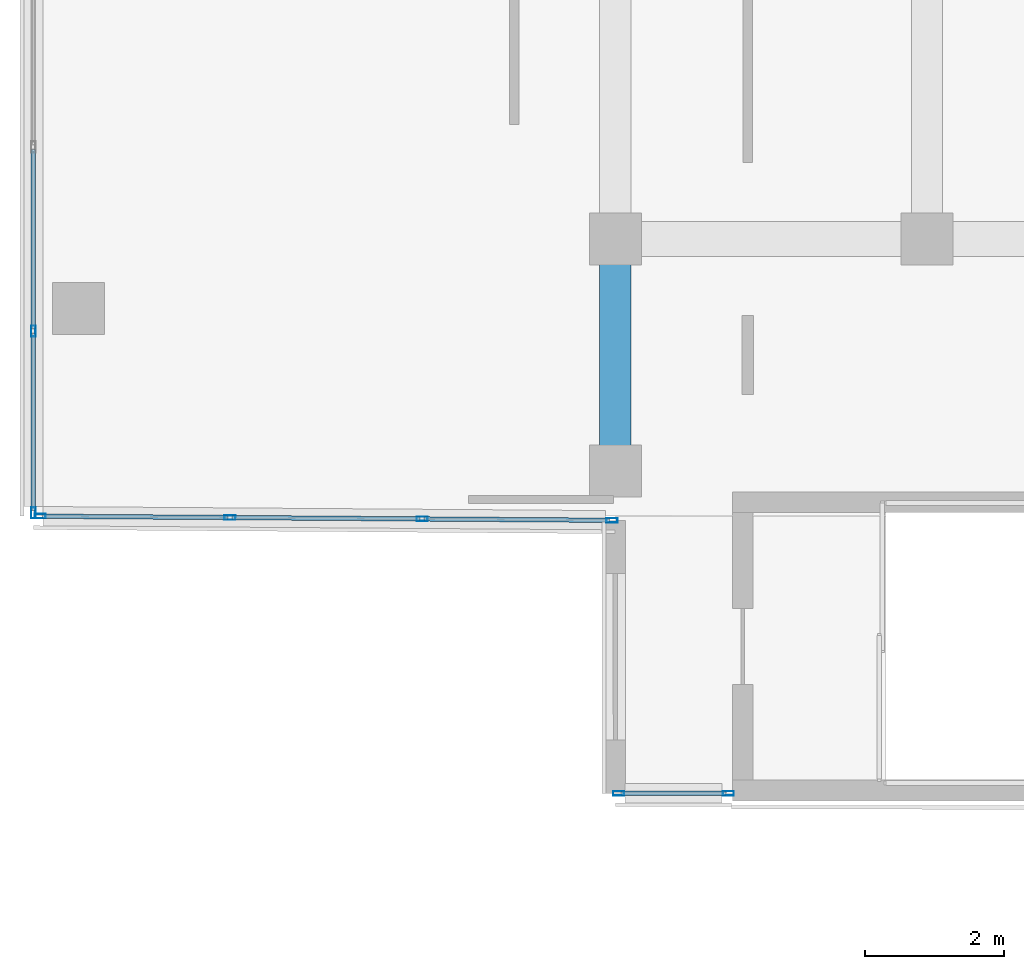
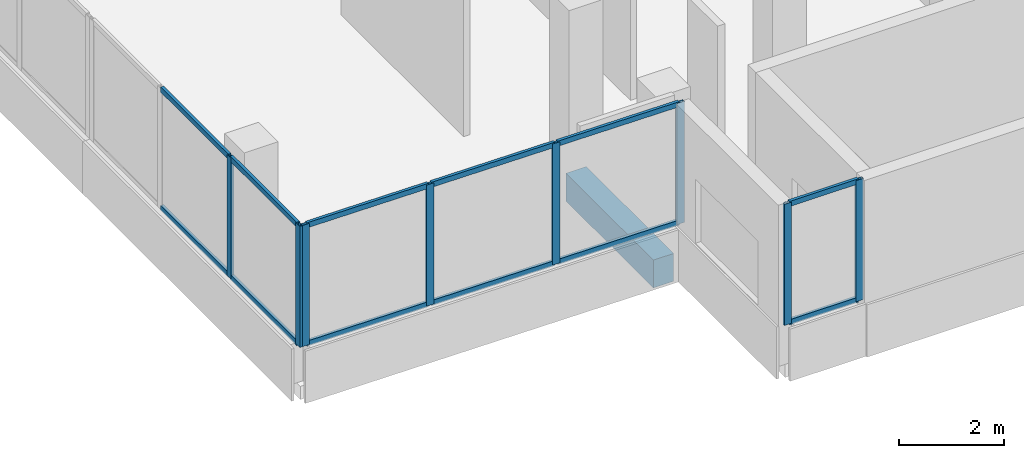
# One storey, part 21 of 101: 20 members, 1 beam, 3 elements without a shape of their own.
"""IFC4 building model written with IfcOpenShell, lengths in metres."""

from ifc_helpers import new_model, si_unit, direction, frame, origin, origin_2d, place, context, subcontext, project, spatial, rectangle, hollow_rectangle, extrude, material, material_profile, profile_set, type_object, element, aggregate, save


model = new_model("IFC4")

# Units and contexts
model_context = context("Model", 3, precision=1e-05, world=origin(), true_north=direction((0.0, 1.0)))
body_context = subcontext(model_context, "Body", "Model", "MODEL_VIEW")
ifc_project = project(units=[si_unit("LENGTHUNIT", "METRE"), si_unit("AREAUNIT", "SQUARE_METRE"), si_unit("VOLUMEUNIT", "CUBIC_METRE"), si_unit("PLANEANGLEUNIT", "RADIAN"), si_unit("MASSUNIT", "GRAM", prefix="KILO")], contexts=[model_context])

# Site, building, storey
site_placement = place(None, origin())
site = spatial("IfcSite", under=ifc_project, at=site_placement, CompositionType="ELEMENT")
building_placement = place(site_placement, origin())
building = spatial("IfcBuilding", under=site, at=building_placement, Name="Selatvlak General Hospital", CompositionType="ELEMENT")
storey_placement = place(building_placement, frame((0.0, 0.0, 19.199951171875)))
storey = spatial("IfcBuildingStorey", under=building, at=storey_placement, Name="L04", CompositionType="ELEMENT", Elevation=19.199951171875)

# Beam
ifc_material_1 = material(Name="Concrete C40/50", Category="concrete")
ifc_material_profile_1 = material_profile(ifc_material_1, rectangle(XDim=0.449951171875, YDim=0.64990234375, at=origin_2d()), Name="RC-BM 450x650")
ifc_profile_set_1 = profile_set([ifc_material_profile_1], Name="Concrete C40/50")
beam_type = type_object("IfcBeamType", Name="BM-G04", PredefinedType="BEAM", material=ifc_profile_set_1)
beam_placement = place(storey_placement, frame((22.800048828125, 88.64990234375, -0.6298828125), z_axis=(0.0, 1.0, 0.0), x_axis=(-1.0, 0.0, 0.0)))
element("IfcBeam", 1, at=beam_placement, inside=storey, type_object=beam_type, Name="Beam BMR-L04-1643", PredefinedType="BEAM", context=body_context, shape_type="SweptSolid", body=[
    extrude(rectangle(XDim=0.449951171875, YDim=0.64990234375, at=origin_2d()), origin(), (0.0, 0.0, 1.0), 3.35009765625),
])

# Curtain wall, members
ifc_material_2 = material(Name="Solar-control Low-E double glazing", Category="glass")
curtain_wall_type = type_object("IfcCurtainWallType", Name="CW-CW-02", PredefinedType="USERDEFINED", material=ifc_material_2)
curtain_wall_1_placement = place(storey_placement, origin())
curtain_wall_1 = element("IfcCurtainWall", 2, at=curtain_wall_1_placement, inside=storey, type_object=curtain_wall_type, Name="Glazed facade curtain wall CW-L04-0476", ObjectType="UNITISED CURTAIN WALL", PredefinedType="USERDEFINED")
ifc_material_3 = material(Name="Dark anodised aluminium mullion", Category="aluminium")
ifc_material_profile_2 = material_profile(ifc_material_3, hollow_rectangle(XDim=0.06494140625, YDim=0.159912109375, WallThickness=0.00390625, at=origin_2d()), Name="AL-MUL 65x160x4")
ifc_profile_set_2 = profile_set([ifc_material_profile_2], Name="Dark anodised aluminium mullion")
member_type_1 = type_object("IfcMemberType", Name="CWM-01", PredefinedType="MULLION", material=ifc_profile_set_2)
member_1_placement = place(storey_placement, frame((14.39990234375, 88.047607421875, 0.93994140625), z_axis=(0.0, 0.0, 1.0), x_axis=(-1.0, 0.0, 0.0)))
member_1 = element("IfcMember", 3, at=member_1_placement, type_object=member_type_1, Name="CW-02 mullion 1", PredefinedType="MULLION", context=body_context, shape_type="SweptSolid", body=[
    extrude(hollow_rectangle(XDim=0.06494140625, YDim=0.159912109375, WallThickness=0.00390625, at=origin_2d()), origin(), (0.0, 0.0, 1.0), 2.830078125),
])
member_2_placement = place(storey_placement, frame((14.39990234375, 90.671630859375, 0.93994140625), z_axis=(0.0, 0.0, 1.0), x_axis=(-1.0, 0.0, 0.0)))
member_2 = element("IfcMember", 4, at=member_2_placement, type_object=member_type_1, Name="CW-02 mullion 2", PredefinedType="MULLION", context=body_context, shape_type="SweptSolid", body=[
    extrude(hollow_rectangle(XDim=0.06494140625, YDim=0.159912109375, WallThickness=0.00390625, at=origin_2d()), origin(), (0.0, 0.0, 1.0), 2.830078125),
])

curtain_wall_2_placement = place(storey_placement, origin())
curtain_wall_2 = element("IfcCurtainWall", 5, at=curtain_wall_2_placement, inside=storey, type_object=curtain_wall_type, Name="Glazed facade curtain wall CW-L04-0517", ObjectType="UNITISED CURTAIN WALL", PredefinedType="USERDEFINED")
member_3_placement = place(storey_placement, frame((24.4326171875, 83.9990234375, 0.93994140625), z_axis=(0.0, 0.0, 1.0), x_axis=(-0.000606428033, -0.999999816123, 0.0)))
member_3 = element("IfcMember", 6, at=member_3_placement, type_object=member_type_1, Name="CW-02 mullion 1", PredefinedType="MULLION", context=body_context, shape_type="SweptSolid", body=[
    extrude(hollow_rectangle(XDim=0.06494140625, YDim=0.159912109375, WallThickness=0.00390625, at=origin_2d()), origin(), (0.0, 0.0, 1.0), 2.830078125),
])
member_4_placement = place(storey_placement, frame((22.848388671875, 84.0, 0.93994140625), z_axis=(0.0, 0.0, 1.0), x_axis=(-0.000606428033, -0.999999816123, 0.0)))
member_4 = element("IfcMember", 7, at=member_4_placement, type_object=member_type_1, Name="CW-02 mullion 2", PredefinedType="MULLION", context=body_context, shape_type="SweptSolid", body=[
    extrude(hollow_rectangle(XDim=0.06494140625, YDim=0.159912109375, WallThickness=0.00390625, at=origin_2d()), origin(), (0.0, 0.0, 1.0), 2.830078125),
])

curtain_wall_3_placement = place(storey_placement, origin())
curtain_wall_3 = element("IfcCurtainWall", 8, at=curtain_wall_3_placement, inside=storey, type_object=curtain_wall_type, Name="Glazed facade curtain wall CW-L04-0518", ObjectType="UNITISED CURTAIN WALL", PredefinedType="USERDEFINED")
member_5_placement = place(storey_placement, frame((22.75244140625, 87.940185546875, 0.93994140625), z_axis=(0.0, 0.0, 1.0), x_axis=(-0.007211350946, -0.999973997871, 0.0)))
member_5 = element("IfcMember", 9, at=member_5_placement, type_object=member_type_1, Name="CW-02 mullion 1", PredefinedType="MULLION", context=body_context, shape_type="SweptSolid", body=[
    extrude(hollow_rectangle(XDim=0.06494140625, YDim=0.159912109375, WallThickness=0.00390625, at=origin_2d()), origin(), (0.0, 0.0, 1.0), 2.830078125),
])
member_6_placement = place(storey_placement, frame((20.01171875, 87.9599609375, 0.93994140625), z_axis=(0.0, 0.0, 1.0), x_axis=(-0.007211350946, -0.999973997871, 0.0)))
member_6 = element("IfcMember", 10, at=member_6_placement, type_object=member_type_1, Name="CW-02 mullion 2", PredefinedType="MULLION", context=body_context, shape_type="SweptSolid", body=[
    extrude(hollow_rectangle(XDim=0.06494140625, YDim=0.159912109375, WallThickness=0.00390625, at=origin_2d()), origin(), (0.0, 0.0, 1.0), 2.830078125),
])
member_7_placement = place(storey_placement, frame((17.23828125, 87.97998046875, 0.93994140625), z_axis=(0.0, 0.0, 1.0), x_axis=(-0.007211350946, -0.999973997871, 0.0)))
member_7 = element("IfcMember", 11, at=member_7_placement, type_object=member_type_1, Name="CW-02 mullion 3", PredefinedType="MULLION", context=body_context, shape_type="SweptSolid", body=[
    extrude(hollow_rectangle(XDim=0.06494140625, YDim=0.159912109375, WallThickness=0.00390625, at=origin_2d()), origin(), (0.0, 0.0, 1.0), 2.830078125),
])
member_8_placement = place(storey_placement, frame((14.49755859375, 87.999755859375, 0.93994140625), z_axis=(0.0, 0.0, 1.0), x_axis=(-0.007211350946, -0.999973997871, 0.0)))
member_8 = element("IfcMember", 12, at=member_8_placement, type_object=member_type_1, Name="CW-02 mullion 4", PredefinedType="MULLION", context=body_context, shape_type="SweptSolid", body=[
    extrude(hollow_rectangle(XDim=0.06494140625, YDim=0.159912109375, WallThickness=0.00390625, at=origin_2d()), origin(), (0.0, 0.0, 1.0), 2.830078125),
])

# Member
ifc_material_profile_3 = material_profile(ifc_material_3, hollow_rectangle(XDim=0.06494140625, YDim=0.1201171875, WallThickness=0.00390625, at=origin_2d()), Name="AL-TRN 65x120x4")
ifc_profile_set_3 = profile_set([ifc_material_profile_3], Name="Dark anodised aluminium mullion")
member_type_2 = type_object("IfcMemberType", Name="CWT-01", PredefinedType="USERDEFINED", material=ifc_profile_set_3)
member_9_placement = place(storey_placement, frame((14.39990234375, 88.080078125, 0.97265625), z_axis=(0.0, 1.0, 0.0), x_axis=(-1.0, 0.0, 0.0)))
member_9 = element("IfcMember", 13, at=member_9_placement, type_object=member_type_2, Name="CW-02 transom 1.1", ObjectType="TRANSOM", PredefinedType="USERDEFINED", context=body_context, shape_type="SweptSolid", body=[
    extrude(hollow_rectangle(XDim=0.06494140625, YDim=0.1201171875, WallThickness=0.00390625, at=origin_2d()), origin(), (0.0, 0.0, 1.0), 2.55908203125),
])

member_10_placement = place(storey_placement, frame((14.39990234375, 88.080078125, 3.737548828125), z_axis=(0.0, 1.0, 0.0), x_axis=(-1.0, 0.0, 0.0)))
member_10 = element("IfcMember", 14, at=member_10_placement, type_object=member_type_2, Name="CW-02 transom 1.2", ObjectType="TRANSOM", PredefinedType="USERDEFINED", context=body_context, shape_type="SweptSolid", body=[
    extrude(hollow_rectangle(XDim=0.06494140625, YDim=0.1201171875, WallThickness=0.00390625, at=origin_2d()), origin(), (0.0, 0.0, 1.0), 2.55908203125),
])

member_11_placement = place(storey_placement, frame((14.39990234375, 90.7041015625, 0.97265625), z_axis=(0.0, 1.0, 0.0), x_axis=(-1.0, 0.0, 0.0)))
member_11 = element("IfcMember", 15, at=member_11_placement, type_object=member_type_2, Name="CW-02 transom 2.1", ObjectType="TRANSOM", PredefinedType="USERDEFINED", context=body_context, shape_type="SweptSolid", body=[
    extrude(hollow_rectangle(XDim=0.06494140625, YDim=0.1201171875, WallThickness=0.00390625, at=origin_2d()), origin(), (0.0, 0.0, 1.0), 2.591796875),
])

member_12_placement = place(storey_placement, frame((14.39990234375, 90.7041015625, 3.737548828125), z_axis=(0.0, 1.0, 0.0), x_axis=(-1.0, 0.0, 0.0)))
member_12 = element("IfcMember", 16, at=member_12_placement, type_object=member_type_2, Name="CW-02 transom 2.2", ObjectType="TRANSOM", PredefinedType="USERDEFINED", context=body_context, shape_type="SweptSolid", body=[
    extrude(hollow_rectangle(XDim=0.06494140625, YDim=0.1201171875, WallThickness=0.00390625, at=origin_2d()), origin(), (0.0, 0.0, 1.0), 2.591796875),
])

aggregate(curtain_wall_1, [member_1, member_2, member_9, member_10, member_11, member_12])

member_13_placement = place(storey_placement, frame((24.39990234375, 83.9990234375, 0.97265625), z_axis=(-0.999999793286, 0.00064298331, 0.0), x_axis=(-0.00064298331, -0.999999793286, 0.0)))
member_13 = element("IfcMember", 17, at=member_13_placement, type_object=member_type_2, Name="CW-02 transom 1.1", ObjectType="TRANSOM", PredefinedType="USERDEFINED", context=body_context, shape_type="SweptSolid", body=[
    extrude(hollow_rectangle(XDim=0.06494140625, YDim=0.1201171875, WallThickness=0.00390625, at=origin_2d()), origin(), (0.0, 0.0, 1.0), 1.518798828125),
])

member_14_placement = place(storey_placement, frame((24.39990234375, 83.9990234375, 3.737548828125), z_axis=(-0.999999793286, 0.00064298331, 0.0), x_axis=(-0.00064298331, -0.999999793286, 0.0)))
member_14 = element("IfcMember", 18, at=member_14_placement, type_object=member_type_2, Name="CW-02 transom 1.2", ObjectType="TRANSOM", PredefinedType="USERDEFINED", context=body_context, shape_type="SweptSolid", body=[
    extrude(hollow_rectangle(XDim=0.06494140625, YDim=0.1201171875, WallThickness=0.00390625, at=origin_2d()), origin(), (0.0, 0.0, 1.0), 1.518798828125),
])

aggregate(curtain_wall_2, [member_3, member_4, member_13, member_14])

member_15_placement = place(storey_placement, frame((22.719970703125, 87.9404296875, 0.97265625), z_axis=(-0.99997402317, 0.007207841955, 0.0), x_axis=(-0.007207841955, -0.99997402317, 0.0)))
member_15 = element("IfcMember", 19, at=member_15_placement, type_object=member_type_2, Name="CW-02 transom 1.1", ObjectType="TRANSOM", PredefinedType="USERDEFINED", context=body_context, shape_type="SweptSolid", body=[
    extrude(hollow_rectangle(XDim=0.06494140625, YDim=0.1201171875, WallThickness=0.00390625, at=origin_2d()), origin(), (0.0, 0.0, 1.0), 2.67578125),
])

member_16_placement = place(storey_placement, frame((22.719970703125, 87.9404296875, 3.737548828125), z_axis=(-0.99997402317, 0.007207841955, 0.0), x_axis=(-0.007207841955, -0.99997402317, 0.0)))
member_16 = element("IfcMember", 20, at=member_16_placement, type_object=member_type_2, Name="CW-02 transom 1.2", ObjectType="TRANSOM", PredefinedType="USERDEFINED", context=body_context, shape_type="SweptSolid", body=[
    extrude(hollow_rectangle(XDim=0.06494140625, YDim=0.1201171875, WallThickness=0.00390625, at=origin_2d()), origin(), (0.0, 0.0, 1.0), 2.67578125),
])

member_17_placement = place(storey_placement, frame((19.979248046875, 87.960205078125, 0.97265625), z_axis=(-0.999974000996, 0.00721091762, 0.0), x_axis=(-0.00721091762, -0.999974000996, 0.0)))
member_17 = element("IfcMember", 21, at=member_17_placement, type_object=member_type_2, Name="CW-02 transom 2.1", ObjectType="TRANSOM", PredefinedType="USERDEFINED", context=body_context, shape_type="SweptSolid", body=[
    extrude(hollow_rectangle(XDim=0.06494140625, YDim=0.1201171875, WallThickness=0.00390625, at=origin_2d()), origin(), (0.0, 0.0, 1.0), 2.70849609375),
])

member_18_placement = place(storey_placement, frame((19.979248046875, 87.960205078125, 3.737548828125), z_axis=(-0.999974000996, 0.00721091762, 0.0), x_axis=(-0.00721091762, -0.999974000996, 0.0)))
member_18 = element("IfcMember", 22, at=member_18_placement, type_object=member_type_2, Name="CW-02 transom 2.2", ObjectType="TRANSOM", PredefinedType="USERDEFINED", context=body_context, shape_type="SweptSolid", body=[
    extrude(hollow_rectangle(XDim=0.06494140625, YDim=0.1201171875, WallThickness=0.00390625, at=origin_2d()), origin(), (0.0, 0.0, 1.0), 2.70849609375),
])

member_19_placement = place(storey_placement, frame((17.205810546875, 87.980224609375, 0.97265625), z_axis=(-0.99997402317, 0.007207841955, 0.0), x_axis=(-0.007207841955, -0.99997402317, 0.0)))
member_19 = element("IfcMember", 23, at=member_19_placement, type_object=member_type_2, Name="CW-02 transom 3.1", ObjectType="TRANSOM", PredefinedType="USERDEFINED", context=body_context, shape_type="SweptSolid", body=[
    extrude(hollow_rectangle(XDim=0.06494140625, YDim=0.1201171875, WallThickness=0.00390625, at=origin_2d()), origin(), (0.0, 0.0, 1.0), 2.67578125),
])

member_20_placement = place(storey_placement, frame((17.205810546875, 87.980224609375, 3.737548828125), z_axis=(-0.99997402317, 0.007207841955, 0.0), x_axis=(-0.007207841955, -0.99997402317, 0.0)))
member_20 = element("IfcMember", 24, at=member_20_placement, type_object=member_type_2, Name="CW-02 transom 3.2", ObjectType="TRANSOM", PredefinedType="USERDEFINED", context=body_context, shape_type="SweptSolid", body=[
    extrude(hollow_rectangle(XDim=0.06494140625, YDim=0.1201171875, WallThickness=0.00390625, at=origin_2d()), origin(), (0.0, 0.0, 1.0), 2.67578125),
])

aggregate(curtain_wall_3, [member_5, member_6, member_7, member_8, member_15, member_16, member_17, member_18, member_19, member_20])

save(model, "model.ifc")
